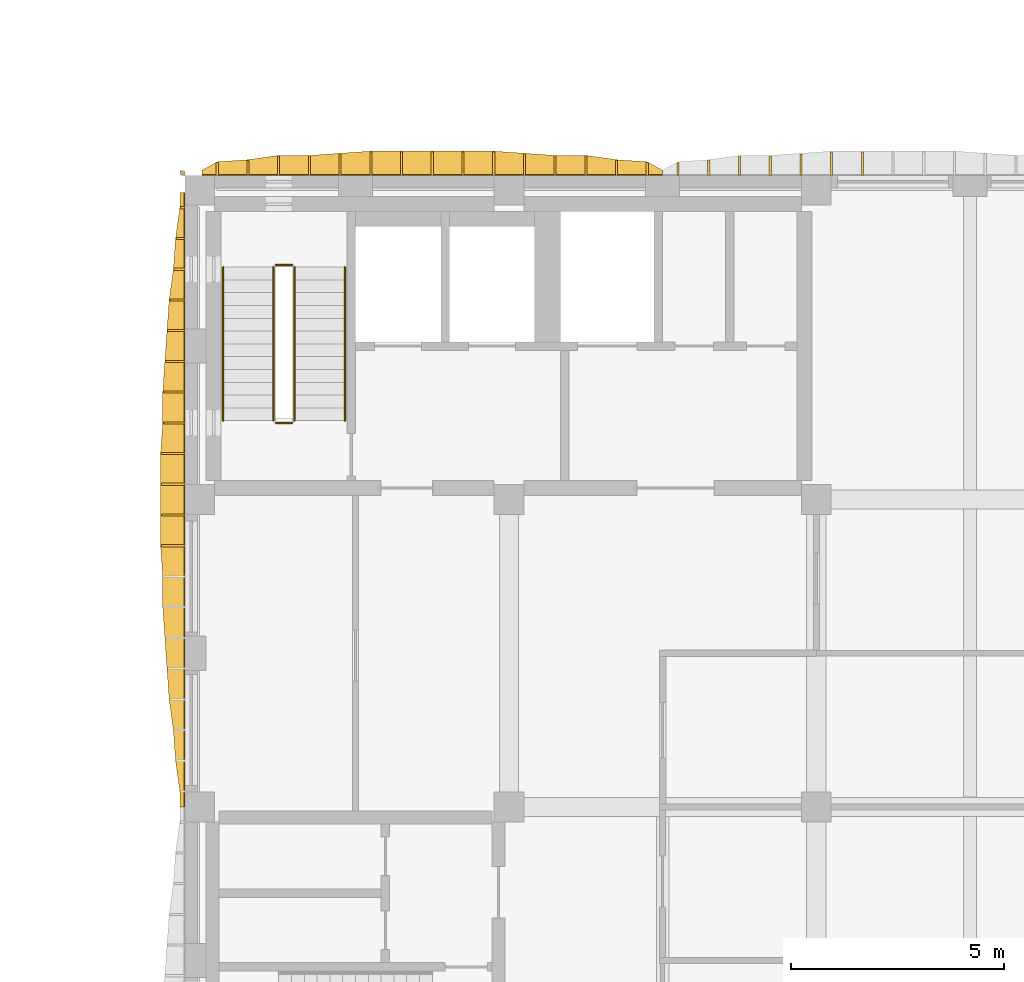
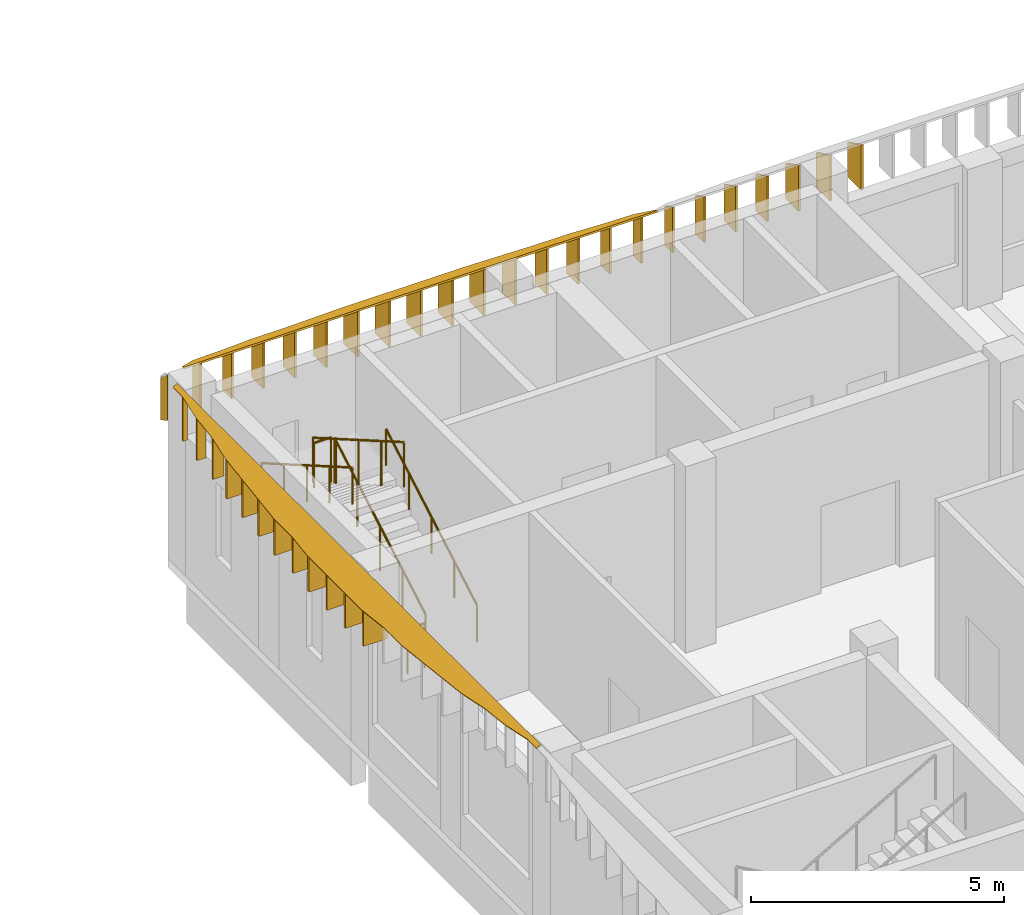
# One storey, part 21 of 38: 37 shading devices, 6 railings.
"""IFC4 building model written with IfcOpenShell, lengths in metres."""

import ifcopenshell
import ifcopenshell.guid

model = None  # the IFC model being written
_history = None  # IfcOwnerHistory: only IFC2X3 demands one
_inside = {}  # id of a spatial element -> (the spatial element, [elements in it])
_under = {}  # id of a project, library or spatial element -> (it, [spatial elements below it])
_declared = {}  # id of a project -> (the project, [libraries it declares])
_typed = {}  # id of a type object -> (the type object, [elements of that type])
_made_of = {}  # id of a material, layer set ... -> (it, [elements and type objects made of it])


def new_model(schema):
    """Start an empty IFC model of exactly this schema.

    Asked for "IFC4X3", IfcOpenShell would pick the latest addendum, in which some entities
    have other attributes; the version numbers below select the first issue.
    IFC2X3 requires an IfcOwnerHistory on every rooted entity: one is made here for all.
    """
    global model, _history
    if schema == "IFC4X3":
        model = ifcopenshell.file(schema_version=(4, 3, 0, 0))
    else:
        model = ifcopenshell.file(schema=schema)
    _inside.clear()
    _under.clear()
    _declared.clear()
    _typed.clear()
    _made_of.clear()
    _history = None
    if model.schema == "IFC2X3":
        org = make("IfcOrganization", Name="unknown")
        user = make(
            "IfcPersonAndOrganization",
            ThePerson=make("IfcPerson", FamilyName="unknown"),
            TheOrganization=org,
        )
        app = make(
            "IfcApplication",
            ApplicationDeveloper=org,
            Version="unknown",
            ApplicationFullName="unknown",
            ApplicationIdentifier="unknown",
        )
        _history = make(
            "IfcOwnerHistory",
            OwningUser=user,
            OwningApplication=app,
            ChangeAction="ADDED",
            CreationDate=0,
        )
    return model


def make(cls, **values):
    """One entity of the class cls with the attributes given. An attribute that is None is left unset."""
    return model.create_entity(
        cls, **{name: value for name, value in values.items() if value is not None}
    )


def rooted(cls, **values):
    """An entity with a GlobalId (a new one), such as an element, a storey or a relation."""
    return make(cls, GlobalId=ifcopenshell.guid.new(), OwnerHistory=_history, **values)


def si_unit(unit_type, name, prefix=None):
    """IfcSIUnit, for example si_unit("LENGTHUNIT", "METRE", prefix="MILLI")."""
    return make("IfcSIUnit", UnitType=unit_type, Prefix=prefix, Name=name)


def assignment(units):
    """IfcUnitAssignment: the units of a project."""
    return None if units is None else make("IfcUnitAssignment", Units=units)


def point(xyz):
    """IfcCartesianPoint."""
    return None if xyz is None else make("IfcCartesianPoint", Coordinates=xyz)


def direction(xyz):
    """IfcDirection."""
    return None if xyz is None else make("IfcDirection", DirectionRatios=xyz)


def frame(location, z_axis=None, x_axis=None):
    """IfcAxis2Placement3D, a coordinate frame: its origin and axes. An axis left out is left unset."""
    return make(
        "IfcAxis2Placement3D",
        Location=point(location),
        Axis=direction(z_axis),
        RefDirection=direction(x_axis),
    )


def frame_2d(location, x_axis=None):
    """IfcAxis2Placement2D, a coordinate frame in the plane: its origin and x axis."""
    return make(
        "IfcAxis2Placement2D", Location=point(location), RefDirection=direction(x_axis)
    )


def origin():
    """The frame at (0, 0, 0) with its axes left unset."""
    return frame((0.0, 0.0, 0.0))


def origin_2d():
    """The frame at (0, 0) in the plane with its x axis left unset."""
    return frame_2d((0.0, 0.0))


def place(relative_to, where):
    """IfcLocalPlacement: puts the frame where relative to a parent placement (None: the world)."""
    return make(
        "IfcLocalPlacement", PlacementRelTo=relative_to, RelativePlacement=where
    )


def context(
    kind, dimensions, precision=None, world=None, true_north=None, identifier=None
):
    """IfcGeometricRepresentationContext, for example the 3D "Model" context."""
    return make(
        "IfcGeometricRepresentationContext",
        ContextIdentifier=identifier,
        ContextType=kind,
        CoordinateSpaceDimension=dimensions,
        Precision=precision,
        WorldCoordinateSystem=world,
        TrueNorth=true_north,
    )


def subcontext(parent, identifier, kind, view, scale=None):
    """IfcGeometricRepresentationSubContext, for example "Body" below "Model"."""
    return make(
        "IfcGeometricRepresentationSubContext",
        ContextIdentifier=identifier,
        ContextType=kind,
        ParentContext=parent,
        TargetScale=scale,
        TargetView=view,
    )


def project(units=None, contexts=None):
    """IfcProject with its units and contexts."""
    return rooted(
        "IfcProject",
        Name="project",
        RepresentationContexts=contexts,
        UnitsInContext=assignment(units),
    )


def spatial(cls, under=None, at=None, **own):
    """A site, building, storey or space (cls), placed at a placement, below another one or the project."""
    s = rooted(cls, ObjectPlacement=at, **own)
    if under is not None:
        _under.setdefault(under.id(), (under, []))[1].append(s)
    return s


def polyline(points):
    """IfcPolyline through the points."""
    return make("IfcPolyline", Points=[point(p) for p in points])


def profile(cls, at=None, kind="AREA", **sizes):
    """A parametric profile (cls). Its sizes go by their IFC names, for example OverallWidth=200.0."""
    return make(cls, ProfileType=kind, Position=at, **sizes)


def circle(**sizes):
    """IfcCircleProfileDef."""
    return profile("IfcCircleProfileDef", **sizes)


def outline(outer, holes=None, kind="AREA"):
    """IfcArbitraryClosedProfileDef: a profile drawn as a closed curve; with holes, ...WithVoids."""
    if holes is None:
        return make("IfcArbitraryClosedProfileDef", ProfileType=kind, OuterCurve=outer)
    return make(
        "IfcArbitraryProfileDefWithVoids",
        ProfileType=kind,
        OuterCurve=outer,
        InnerCurves=holes,
    )


def extrude(swept, where, along, depth):
    """IfcExtrudedAreaSolid: the profile swept, set in the frame where, extruded along a direction by depth."""
    return make(
        "IfcExtrudedAreaSolid",
        SweptArea=swept,
        Position=where,
        ExtrudedDirection=direction(along),
        Depth=depth,
    )


def shape(context_of_items, identifier, shape_type, items):
    """IfcShapeRepresentation: the items that make up one representation, for example the "Body"."""
    return make(
        "IfcShapeRepresentation",
        ContextOfItems=context_of_items,
        RepresentationIdentifier=identifier,
        RepresentationType=shape_type,
        Items=items,
    )


def material(Name=None, Category=None):
    """IfcMaterial."""
    return make("IfcMaterial", Name=Name, Category=Category)


def layer(
    of_material, thickness, ventilated=None, Name=None, Category=None, Priority=None
):
    """IfcMaterialLayer: one layer of a wall or slab, of a material (None: an air gap)."""
    return make(
        "IfcMaterialLayer",
        Material=of_material,
        LayerThickness=thickness,
        IsVentilated=ventilated,
        Name=Name,
        Category=Category,
        Priority=Priority,
    )


def layer_set(layers, Name=None):
    """IfcMaterialLayerSet."""
    return make("IfcMaterialLayerSet", MaterialLayers=layers, LayerSetName=Name)


def made_of(thing, what):
    """Note that an element or type object is made of a material, layer set ...; save() writes the relation."""
    if what is not None:
        _made_of.setdefault(what.id(), (what, []))[1].append(thing)
    return thing


def type_object(cls, material=None, **own):
    """A type object (cls), such as IfcWallType, which elements share."""
    return made_of(rooted(cls, **own), material)


def element(
    cls,
    number,
    at=None,
    inside=None,
    cuts=None,
    type_object=None,
    material=None,
    context=None,
    identifier="Body",
    shape_type=None,
    held_by="IfcProductDefinitionShape",
    body=None,
    shapes=None,
    **own,
):
    """One element of the class cls, such as IfcWall. Its Tag is "e" and its number.

    at: its placement. inside: the storey or other place that contains it. cuts: it is an
    opening in that element (IfcRelVoidsElement). A single representation is given by context,
    identifier, shape_type and body (its items); several are given by shapes. held_by: the class
    of the entity that holds the representations. save() writes the other relations.
    """
    e = rooted(cls, Tag="e%d" % number, ObjectPlacement=at, **own)
    if body is not None:
        shapes = [shape(context, identifier, shape_type, body)]
    if shapes is not None:
        e.Representation = make(held_by, Representations=shapes)
    if inside is not None:
        _inside.setdefault(inside.id(), (inside, []))[1].append(e)
    if cuts is not None:
        rooted(
            "IfcRelVoidsElement", RelatingBuildingElement=cuts, RelatedOpeningElement=e
        )
    if type_object is not None:
        _typed.setdefault(type_object.id(), (type_object, []))[1].append(e)
    return made_of(e, material)


def aggregate(whole, parts):
    """IfcRelAggregates: a whole, such as a stair, and the parts it consists of."""
    return rooted("IfcRelAggregates", RelatingObject=whole, RelatedObjects=parts)


def save(model, path):
    """Write the relations noted so far, then the file.

    IfcRelAggregates (storeys below a building ...), IfcRelContainedInSpatialStructure (elements
    in a storey), IfcRelDefinesByType, IfcRelAssociatesMaterial and IfcRelDeclares: one each for
    every whole, place, type object, material and project.
    """
    for whole, parts in _under.values():
        aggregate(whole, parts)
    for where, things in _inside.values():
        rooted(
            "IfcRelContainedInSpatialStructure",
            RelatedElements=things,
            RelatingStructure=where,
        )
    for kind, things in _typed.values():
        rooted("IfcRelDefinesByType", RelatedObjects=things, RelatingType=kind)
    for what, things in _made_of.values():
        rooted("IfcRelAssociatesMaterial", RelatedObjects=things, RelatingMaterial=what)
    for by, libraries in _declared.values():
        rooted("IfcRelDeclares", RelatingContext=by, RelatedDefinitions=libraries)
    model.write(path)


model = new_model("IFC4")

# Units and contexts
model_context = context("Model", 3, precision=1e-05, world=origin(), true_north=direction((0.0, 1.0)))
body_context = subcontext(model_context, "Body", "Model", "MODEL_VIEW")
ifc_project = project(units=[si_unit("LENGTHUNIT", "METRE"), si_unit("AREAUNIT", "SQUARE_METRE"), si_unit("VOLUMEUNIT", "CUBIC_METRE"), si_unit("PLANEANGLEUNIT", "RADIAN"), si_unit("MASSUNIT", "GRAM", prefix="KILO")], contexts=[model_context])

# Site, building, storey
site_placement = place(None, origin())
site = spatial("IfcSite", under=ifc_project, at=site_placement, CompositionType="ELEMENT")
building_placement = place(site_placement, origin())
building = spatial("IfcBuilding", under=site, at=building_placement, Name="Ussher Court Research Institute", CompositionType="ELEMENT")
storey_placement = place(building_placement, frame((0.0, 0.0, 23.39990234375)))
storey = spatial("IfcBuildingStorey", under=building, at=storey_placement, Name="L05", CompositionType="ELEMENT", Elevation=23.39990234375)

# Shading devices
ifc_material_1 = material(Name="Bronze anodised aluminium", Category="aluminium")
ifc_layer_1 = layer(ifc_material_1, 0.050048828125)
ifc_layer_set_1 = layer_set([ifc_layer_1], Name="Bronze anodised aluminium")
shading_device_type_1 = type_object("IfcShadingDeviceType", Name="Brim blade 100 mm deep 1100 mm high canted 26 deg wet", PredefinedType="USERDEFINED", material=ifc_layer_set_1)
shading_device_1_placement = place(storey_placement, frame((81.800048828125, 32.43994140625, 3.35009765625), z_axis=(0.0, 0.0, 1.0), x_axis=(-1.0, 0.0, 0.0)))
element("IfcShadingDevice", 1, at=shading_device_1_placement, inside=storey, type_object=shading_device_type_1, Name="Brim blade BS10 L05", ObjectType="BLADE", PredefinedType="USERDEFINED", context=body_context, shape_type="SweptSolid", body=[
    extrude(outline(polyline([(0.0, 0.0), (0.10009765625, 0.0), (0.10009765625, 1.05126953125), (0.0, 1.10009765625), (0.0, 0.0)])), frame((0.0, 0.02490234375, 0.0), z_axis=(0.0, -1.0, 0.0), x_axis=(1.0, 0.0, 0.0)), (0.0, 0.0, 1.0), 0.050048828125),
])
ifc_material_2 = material(Name="Bronze anodised aluminium", Category="aluminium")
ifc_layer_2 = layer(ifc_material_2, 0.050048828125)
ifc_layer_set_2 = layer_set([ifc_layer_2], Name="Bronze anodised aluminium")
shading_device_type_2 = type_object("IfcShadingDeviceType", Name="Brim blade 200 mm deep 1100 mm high canted 26 deg wet", PredefinedType="USERDEFINED", material=ifc_layer_set_2)
shading_device_2_placement = place(storey_placement, frame((81.800048828125, 31.719970703125, 3.35009765625), z_axis=(0.0, 0.0, 1.0), x_axis=(-1.0, 0.0, 0.0)))
element("IfcShadingDevice", 2, at=shading_device_2_placement, inside=storey, type_object=shading_device_type_2, Name="Brim blade BS08 L05", ObjectType="BLADE", PredefinedType="USERDEFINED", context=body_context, shape_type="SweptSolid", body=[
    extrude(outline(polyline([(0.0, 0.0), (0.199951171875, 0.0), (0.199951171875, 1.00244140625), (0.0, 1.10009765625), (0.0, 0.0)])), frame((0.0, 0.02490234375, 0.0), z_axis=(0.0, -1.0, 0.0), x_axis=(1.0, 0.0, 0.0)), (0.0, 0.0, 1.0), 0.050048828125),
])
ifc_material_3 = material(Name="Bronze anodised aluminium", Category="aluminium")
ifc_layer_3 = layer(ifc_material_3, 0.050048828125)
ifc_layer_set_3 = layer_set([ifc_layer_3], Name="Bronze anodised aluminium")
shading_device_type_3 = type_object("IfcShadingDeviceType", Name="Brim blade 250 mm deep 1100 mm high canted 26 deg wet", PredefinedType="USERDEFINED", material=ifc_layer_set_3)
shading_device_3_placement = place(storey_placement, frame((81.800048828125, 31.0, 3.35009765625), z_axis=(0.0, 0.0, 1.0), x_axis=(-1.0, 0.0, 0.0)))
element("IfcShadingDevice", 3, at=shading_device_3_placement, inside=storey, type_object=shading_device_type_3, Name="Brim blade BS07 L05", ObjectType="BLADE", PredefinedType="USERDEFINED", context=body_context, shape_type="SweptSolid", body=[
    extrude(outline(polyline([(0.0, 0.0), (0.25, 0.0), (0.25, 0.97802734375), (0.0, 1.10009765625), (0.0, 0.0)])), frame((0.0, 0.02490234375, 0.0), z_axis=(0.0, -1.0, 0.0), x_axis=(1.0, 0.0, 0.0)), (0.0, 0.0, 1.0), 0.050048828125),
])
ifc_material_4 = material(Name="Bronze anodised aluminium", Category="aluminium")
ifc_layer_4 = layer(ifc_material_4, 0.050048828125)
ifc_layer_set_4 = layer_set([ifc_layer_4], Name="Bronze anodised aluminium")
shading_device_type_4 = type_object("IfcShadingDeviceType", Name="Brim blade 300 mm deep 1100 mm high canted 26 deg wet", PredefinedType="USERDEFINED", material=ifc_layer_set_4)
for number, where, z_axis, x_axis, name in (
    (4, (82.56005859375, 33.199951171875, 3.35009765625), (0.0, 0.0, 1.0), (0.0, 1.0, 0.0), "Brim blade BS06 L05"),
    (5, (92.639892578125, 33.199951171875, 3.35009765625), (0.0, 0.0, 1.0), (0.0, 1.0, 0.0), "Brim blade BS06 L05"),
    (6, (93.360107421875, 33.199951171875, 3.35009765625), (0.0, 0.0, 1.0), (0.0, 1.0, 0.0), "Brim blade BS06 L05"),
):
    element("IfcShadingDevice", number, at=place(storey_placement, frame(where, z_axis=z_axis, x_axis=x_axis)), inside=storey, type_object=shading_device_type_4, Name=name, ObjectType="BLADE", PredefinedType="USERDEFINED", context=body_context, shape_type="SweptSolid", body=[
        extrude(outline(polyline([(0.0, 0.0), (0.300048828125, 0.0), (0.300048828125, 0.95361328125), (0.0, 1.10009765625), (0.0, 0.0)])), frame((0.0, 0.02490234375, 0.0), z_axis=(0.0, -1.0, 0.0), x_axis=(1.0, 0.0, 0.0)), (0.0, 0.0, 1.0), 0.050048828125),
    ])
ifc_material_5 = material(Name="Bronze anodised aluminium", Category="aluminium")
ifc_layer_5 = layer(ifc_material_5, 0.050048828125)
ifc_layer_set_5 = layer_set([ifc_layer_5], Name="Bronze anodised aluminium")
shading_device_type_5 = type_object("IfcShadingDeviceType", Name="Brim blade 350 mm deep 1100 mm high canted 26 deg wet", PredefinedType="USERDEFINED", material=ifc_layer_set_5)
for number, where, z_axis, x_axis, name in (
    (7, (83.280029296875, 33.199951171875, 3.35009765625), (0.0, 0.0, 1.0), (0.0, 1.0, 0.0), "Brim blade BS05 L05"),
    (8, (91.919921875, 33.199951171875, 3.35009765625), (0.0, 0.0, 1.0), (0.0, 1.0, 0.0), "Brim blade BS05 L05"),
    (9, (94.080078125, 33.199951171875, 3.35009765625), (0.0, 0.0, 1.0), (0.0, 1.0, 0.0), "Brim blade BS05 L05"),
    (10, (81.800048828125, 30.280029296875, 3.35009765625), (0.0, 0.0, 1.0), (-1.0, 0.0, 0.0), "Brim blade BS05 L05"),
):
    element("IfcShadingDevice", number, at=place(storey_placement, frame(where, z_axis=z_axis, x_axis=x_axis)), inside=storey, type_object=shading_device_type_5, Name=name, ObjectType="BLADE", PredefinedType="USERDEFINED", context=body_context, shape_type="SweptSolid", body=[
        extrude(outline(polyline([(0.0, 0.0), (0.35009765625, 0.0), (0.35009765625, 0.92919921875), (0.0, 1.10009765625), (0.0, 0.0)])), frame((0.0, 0.02490234375, 0.0), z_axis=(0.0, -1.0, 0.0), x_axis=(1.0, 0.0, 0.0)), (0.0, 0.0, 1.0), 0.050048828125),
    ])
ifc_material_6 = material(Name="Bronze anodised aluminium", Category="aluminium")
ifc_layer_6 = layer(ifc_material_6, 0.050048828125)
ifc_layer_set_6 = layer_set([ifc_layer_6], Name="Bronze anodised aluminium")
shading_device_type_6 = type_object("IfcShadingDeviceType", Name="Brim blade 400 mm deep 1100 mm high canted 26 deg wet", PredefinedType="USERDEFINED", material=ifc_layer_set_6)
shading_device_4_placement = place(storey_placement, frame((81.800048828125, 29.56005859375, 3.35009765625), z_axis=(0.0, 0.0, 1.0), x_axis=(-1.0, 0.0, 0.0)))
element("IfcShadingDevice", 11, at=shading_device_4_placement, inside=storey, type_object=shading_device_type_6, Name="Brim blade BS04 L05", ObjectType="BLADE", PredefinedType="USERDEFINED", context=body_context, shape_type="SweptSolid", body=[
    extrude(outline(polyline([(0.0, 0.0), (0.400146484375, 0.0), (0.39990234375, 0.90478515625), (0.0, 1.10009765625), (0.0, 0.0)])), frame((0.0, 0.02490234375, 0.0), z_axis=(0.0, -1.0, 0.0), x_axis=(1.0, 0.0, 0.0)), (0.0, 0.0, 1.0), 0.050048828125),
])
ifc_material_7 = material(Name="Bronze anodised aluminium", Category="aluminium")
ifc_layer_7 = layer(ifc_material_7, 0.050048828125)
ifc_layer_set_7 = layer_set([ifc_layer_7], Name="Bronze anodised aluminium")
shading_device_type_7 = type_object("IfcShadingDeviceType", Name="Brim blade 450 mm deep 1100 mm high canted 26 deg wet", PredefinedType="USERDEFINED", material=ifc_layer_set_7)
for number, where, z_axis, x_axis, name in (
    (12, (84.0, 33.199951171875, 3.35009765625), (0.0, 0.0, 1.0), (0.0, 1.0, 0.0), "Brim blade BS03 L05"),
    (13, (84.719970703125, 33.199951171875, 3.35009765625), (0.0, 0.0, 1.0), (0.0, 1.0, 0.0), "Brim blade BS03 L05"),
    (14, (90.47998046875, 33.199951171875, 3.35009765625), (0.0, 0.0, 1.0), (0.0, 1.0, 0.0), "Brim blade BS03 L05"),
    (15, (91.199951171875, 33.199951171875, 3.35009765625), (0.0, 0.0, 1.0), (0.0, 1.0, 0.0), "Brim blade BS03 L05"),
    (16, (94.800048828125, 33.199951171875, 3.35009765625), (0.0, 0.0, 1.0), (0.0, 1.0, 0.0), "Brim blade BS03 L05"),
    (17, (95.52001953125, 33.199951171875, 3.35009765625), (0.0, 0.0, 1.0), (0.0, 1.0, 0.0), "Brim blade BS03 L05"),
    (18, (81.800048828125, 28.840087890625, 3.35009765625), (0.0, 0.0, 1.0), (-1.0, 0.0, 0.0), "Brim blade BS03 L05"),
):
    element("IfcShadingDevice", number, at=place(storey_placement, frame(where, z_axis=z_axis, x_axis=x_axis)), inside=storey, type_object=shading_device_type_7, Name=name, ObjectType="BLADE", PredefinedType="USERDEFINED", context=body_context, shape_type="SweptSolid", body=[
        extrude(outline(polyline([(0.0, 0.0), (0.449951171875, 0.0), (0.449951171875, 0.880615234375), (0.0, 1.10009765625), (0.0, 0.0)])), frame((0.0, 0.02490234375, 0.0), z_axis=(0.0, -1.0, 0.0), x_axis=(1.0, 0.0, 0.0)), (0.0, 0.0, 1.0), 0.050048828125),
    ])
ifc_material_8 = material(Name="Bronze anodised aluminium", Category="aluminium")
ifc_layer_8 = layer(ifc_material_8, 0.050048828125)
ifc_layer_set_8 = layer_set([ifc_layer_8], Name="Bronze anodised aluminium")
shading_device_type_8 = type_object("IfcShadingDeviceType", Name="Brim blade 500 mm deep 1100 mm high canted 26 deg wet", PredefinedType="USERDEFINED", material=ifc_layer_set_8)
for number, where, z_axis, x_axis, name in (
    (19, (85.43994140625, 33.199951171875, 3.35009765625), (0.0, 0.0, 1.0), (0.0, 1.0, 0.0), "Brim blade BS02 L05"),
    (20, (89.760009765625, 33.199951171875, 3.35009765625), (0.0, 0.0, 1.0), (0.0, 1.0, 0.0), "Brim blade BS02 L05"),
    (21, (96.239990234375, 33.199951171875, 3.35009765625), (0.0, 0.0, 1.0), (0.0, 1.0, 0.0), "Brim blade BS02 L05"),
    (22, (81.800048828125, 27.39990234375, 3.35009765625), (0.0, 0.0, 1.0), (-1.0, 0.0, 0.0), "Brim blade BS02 L05"),
    (23, (81.800048828125, 28.1201171875, 3.35009765625), (0.0, 0.0, 1.0), (-1.0, 0.0, 0.0), "Brim blade BS02 L05"),
):
    element("IfcShadingDevice", number, at=place(storey_placement, frame(where, z_axis=z_axis, x_axis=x_axis)), inside=storey, type_object=shading_device_type_8, Name=name, ObjectType="BLADE", PredefinedType="USERDEFINED", context=body_context, shape_type="SweptSolid", body=[
        extrude(outline(polyline([(0.0, 0.0), (0.5, 0.0), (0.5, 0.856201171875), (0.0, 1.10009765625), (0.0, 0.0)])), frame((0.0, 0.02490234375, 0.0), z_axis=(0.0, -1.0, 0.0), x_axis=(1.0, 0.0, 0.0)), (0.0, 0.0, 1.0), 0.050048828125),
    ])
ifc_material_9 = material(Name="Bronze anodised aluminium", Category="aluminium")
ifc_layer_9 = layer(ifc_material_9, 0.050048828125)
ifc_layer_set_9 = layer_set([ifc_layer_9], Name="Bronze anodised aluminium")
shading_device_type_9 = type_object("IfcShadingDeviceType", Name="Brim blade 550 mm deep 1100 mm high canted 26 deg wet", PredefinedType="USERDEFINED", material=ifc_layer_set_9)
for number, where, z_axis, x_axis, name in (
    (24, (86.159912109375, 33.199951171875, 3.35009765625), (0.0, 0.0, 1.0), (0.0, 1.0, 0.0), "Brim blade BS01 L05"),
    (25, (86.8798828125, 33.199951171875, 3.35009765625), (0.0, 0.0, 1.0), (0.0, 1.0, 0.0), "Brim blade BS01 L05"),
    (26, (87.60009765625, 33.199951171875, 3.35009765625), (0.0, 0.0, 1.0), (0.0, 1.0, 0.0), "Brim blade BS01 L05"),
    (27, (88.320068359375, 33.199951171875, 3.35009765625), (0.0, 0.0, 1.0), (0.0, 1.0, 0.0), "Brim blade BS01 L05"),
    (28, (89.0400390625, 33.199951171875, 3.35009765625), (0.0, 0.0, 1.0), (0.0, 1.0, 0.0), "Brim blade BS01 L05"),
    (29, (96.9599609375, 33.199951171875, 3.35009765625), (0.0, 0.0, 1.0), (0.0, 1.0, 0.0), "Brim blade BS01 L05"),
    (30, (97.679931640625, 33.199951171875, 3.35009765625), (0.0, 0.0, 1.0), (0.0, 1.0, 0.0), "Brim blade BS01 L05"),
    (31, (81.800048828125, 24.52001953125, 3.35009765625), (0.0, 0.0, 1.0), (-1.0, 0.0, 0.0), "Brim blade BS01 L05"),
    (32, (81.800048828125, 25.239990234375, 3.35009765625), (0.0, 0.0, 1.0), (-1.0, 0.0, 0.0), "Brim blade BS01 L05"),
    (33, (81.800048828125, 25.9599609375, 3.35009765625), (0.0, 0.0, 1.0), (-1.0, 0.0, 0.0), "Brim blade BS01 L05"),
    (34, (81.800048828125, 26.679931640625, 3.35009765625), (0.0, 0.0, 1.0), (-1.0, 0.0, 0.0), "Brim blade BS01 L05"),
):
    element("IfcShadingDevice", number, at=place(storey_placement, frame(where, z_axis=z_axis, x_axis=x_axis)), inside=storey, type_object=shading_device_type_9, Name=name, ObjectType="BLADE", PredefinedType="USERDEFINED", context=body_context, shape_type="SweptSolid", body=[
        extrude(outline(polyline([(0.0, 0.0), (0.550048828125, 0.0), (0.550048828125, 0.831787109375), (0.0, 1.10009765625), (0.0, 0.0)])), frame((0.0, 0.02490234375, 0.0), z_axis=(0.0, -1.0, 0.0), x_axis=(1.0, 0.0, 0.0)), (0.0, 0.0, 1.0), 0.050048828125),
    ])
ifc_material_10 = material(Name="Bronze anodised aluminium", Category="aluminium")
ifc_layer_10 = layer(ifc_material_10, 0.050048828125)
ifc_layer_set_10 = layer_set([ifc_layer_10], Name="Bronze anodised aluminium")
shading_device_type_10 = type_object("IfcShadingDeviceType", Name="Brim mitre blade 100 mm deep 1100 mm high canted 26 deg wet", PredefinedType="USERDEFINED", material=ifc_layer_set_10)
shading_device_5_placement = place(storey_placement, frame((81.800048828125, 33.199951171875, 3.35009765625), z_axis=(0.0, 0.0, 1.0), x_axis=(-0.707106781187, 0.707106781187, 0.0)))
element("IfcShadingDevice", 35, at=shading_device_5_placement, inside=storey, type_object=shading_device_type_10, Name="Brim mitre blade BS18 L05", ObjectType="BLADE", PredefinedType="USERDEFINED", context=body_context, shape_type="SweptSolid", body=[
    extrude(outline(polyline([(0.0, 0.0), (0.1416015625, 0.0), (0.141357421875, 1.00244140625), (0.0, 1.10009765625), (0.0, 0.0)])), frame((0.0, 0.02490234375, 0.0), z_axis=(0.0, -1.0, 0.0), x_axis=(1.0, 0.0, 0.0)), (0.0, 0.0, 1.0), 0.050048828125),
])
ifc_material_11 = material(Name="Bronze anodised aluminium", Category="aluminium")
ifc_layer_11 = layer(ifc_material_11, 0.0400390625)
ifc_layer_set_11 = layer_set([ifc_layer_11], Name="Bronze anodised aluminium")
shading_device_type_11 = type_object("IfcShadingDeviceType", Name="Brim visor sheet 40 mm canted 26 deg wet", PredefinedType="USERDEFINED", material=ifc_layer_set_11)
shading_device_6_placement = place(storey_placement, frame((82.199951171875, 33.217529296875, 4.486083984375), z_axis=(0.0, 0.438493442835, 0.898734388232), x_axis=(1.0, 0.0, 0.0)))
element("IfcShadingDevice", 36, at=shading_device_6_placement, inside=storey, type_object=shading_device_type_11, Name="Brim visor sheet BR1 L05", ObjectType="BRIM", PredefinedType="USERDEFINED", context=body_context, shape_type="SweptSolid", body=[
    extrude(outline(polyline([(0.0, 0.0), (10.800048828125, 0.0), (10.800048828125, 0.11115260091647443), (10.43994140625, 0.3338966378999272), (9.719970703125, 0.3893632295705384), (9.0, 0.5006281939990725), (8.280029296875, 0.5006281939990725), (7.56005859375, 0.5563142032449357), (6.840087890625, 0.612000212490799), (6.1201171875, 0.612000212490799), (5.400146484375, 0.612000212490799), (4.679931640625, 0.612000212490799), (3.9599609375, 0.612000212490799), (3.239990234375, 0.5563142032449357), (2.52001953125, 0.5006281939990725), (1.800048828125, 0.5006281939990725), (1.080078125, 0.3893632295705384), (0.360107421875, 0.3338966378999272), (0.0, 0.11115260091647443), (0.0, 0.0)])), origin(), (0.0, 0.0, -1.0), 0.0400390625),
])
shading_device_7_placement = place(storey_placement, frame((81.782470703125, 18.39990234375, 4.486083984375), z_axis=(-0.438529184396, 0.0, 0.898716949007), x_axis=(0.0, 1.0, 0.0)))
element("IfcShadingDevice", 37, at=shading_device_7_placement, inside=storey, type_object=shading_device_type_11, Name="Brim visor sheet BR1 L05", ObjectType="BRIM", PredefinedType="USERDEFINED", context=body_context, shape_type="SweptSolid", body=[
    extrude(outline(polyline([(0.0, 0.0), (14.400146484375, 0.0), (14.400146484375, 0.11115260474198813), (14.0400390625, 0.11115260474198813), (13.320068359375, 0.22252462280160495), (12.60009765625, 0.27821063183141337), (11.880126953125, 0.3893632365734015), (11.16015625, 0.4449421828140506), (10.440185546875, 0.5006281918438591), (9.72021484375, 0.5563142008736675), (9.0, 0.5563142008736675), (8.280029296875, 0.6120002099034759), (7.56005859375, 0.6120002099034759), (6.840087890625, 0.6120002099034759), (6.1201171875, 0.6120002099034759), (5.400146484375, 0.5563142008736675), (4.68017578125, 0.5563142008736675), (3.960205078125, 0.5006281918438591), (3.239990234375, 0.4449421828140506), (2.52001953125, 0.3893632365734015), (1.800048828125, 0.27821063183141337), (1.080078125, 0.22252462280160495), (0.360107421875, 0.11115260474198813), (0.0, 0.11115260474198813), (0.0, 0.0)])), origin(), (0.0, 0.0, -1.0), 0.0400390625),
])

# Railings
ifc_material_12 = material(Name="Painted steel balustrade", Category="steel")
railing_type_1 = type_object("IfcRailingType", Name="Stair guard 1100 steel balustrade", PredefinedType="GUARDRAIL", material=ifc_material_12)
railing_1_placement = place(storey_placement, frame((84.3701171875, 27.449951171875, 0.173095703125)))
element("IfcRailing", 38, at=railing_1_placement, inside=storey, type_object=railing_type_1, Name="L05 T1 stair guard 1", PredefinedType="GUARDRAIL", context=body_context, shape_type="SweptSolid", body=[
    extrude(circle(Radius=0.02392578125, at=origin_2d()), frame((0.0, 0.0, 1.076171875), z_axis=(0.0, 0.866193409371, 0.499708892819), x_axis=(-1.0, 0.0, 0.0)), (0.0, 0.0, 1.0), 4.15625),
    extrude(circle(Radius=0.02099609375, at=origin_2d()), origin(), (0.0, 0.0, 1.0), 1.052001953125),
    extrude(circle(Radius=0.02099609375, at=origin_2d()), frame((0.0, 0.89990234375, 0.519287109375)), (0.0, 0.0, 1.0), 1.052001953125),
    extrude(circle(Radius=0.02099609375, at=origin_2d()), frame((0.0, 1.800048828125, 1.03857421875)), (0.0, 0.0, 1.0), 1.052001953125),
    extrude(circle(Radius=0.02099609375, at=origin_2d()), frame((0.0, 2.7001953125, 1.5576171875)), (0.0, 0.0, 1.0), 1.052001953125),
    extrude(circle(Radius=0.02099609375, at=origin_2d()), frame((0.0, 3.60009765625, 2.076904296875)), (0.0, 0.0, 1.0), 1.052001953125),
])
railing_2_placement = place(storey_placement, frame((84.320068359375, 31.10009765625, 2.25)))
element("IfcRailing", 39, at=railing_2_placement, inside=storey, type_object=railing_type_1, Name="L05 T1 stair guard 2", PredefinedType="GUARDRAIL", context=body_context, shape_type="SweptSolid", body=[
    extrude(circle(Radius=0.02392578125, at=origin_2d()), frame((0.0, 0.0, 1.076171875), z_axis=(-1.0, 0.0, 0.0), x_axis=(0.0, -1.0, 0.0)), (0.0, 0.0, 1.0), 0.39013671875),
    extrude(circle(Radius=0.02099609375, at=origin_2d()), origin(), (0.0, 0.0, 1.0), 1.052001953125),
    extrude(circle(Radius=0.02099609375, at=origin_2d()), frame((-0.39013671875, 0.0, 0.0)), (0.0, 0.0, 1.0), 1.052001953125),
])
railing_3_placement = place(storey_placement, frame((83.8798828125, 31.050048828125, 2.423095703125)))
element("IfcRailing", 40, at=railing_3_placement, inside=storey, type_object=railing_type_1, Name="L05 T1 stair guard 3", PredefinedType="GUARDRAIL", context=body_context, shape_type="SweptSolid", body=[
    extrude(circle(Radius=0.02392578125, at=origin_2d()), frame((0.0, 0.0, 1.076171875), z_axis=(0.0, -0.866193409371, 0.499708892819), x_axis=(1.0, 0.0, 0.0)), (0.0, 0.0, 1.0), 4.15625),
    extrude(circle(Radius=0.02099609375, at=origin_2d()), origin(), (0.0, 0.0, 1.0), 1.052001953125),
    extrude(circle(Radius=0.02099609375, at=origin_2d()), frame((0.0, -0.89990234375, 0.519287109375)), (0.0, 0.0, 1.0), 1.052001953125),
    extrude(circle(Radius=0.02099609375, at=origin_2d()), frame((0.0, -1.800048828125, 1.03857421875)), (0.0, 0.0, 1.0), 1.052001953125),
    extrude(circle(Radius=0.02099609375, at=origin_2d()), frame((0.0, -2.7001953125, 1.5576171875)), (0.0, 0.0, 1.0), 1.052001953125),
    extrude(circle(Radius=0.02099609375, at=origin_2d()), frame((0.0, -3.60009765625, 2.076904296875)), (0.0, 0.0, 1.0), 1.052001953125),
])
railing_4_placement = place(storey_placement, frame((84.320068359375, 27.39990234375, 0.0)))
element("IfcRailing", 41, at=railing_4_placement, inside=storey, type_object=railing_type_1, Name="L05 T1 stair guard 4", PredefinedType="GUARDRAIL", context=body_context, shape_type="SweptSolid", body=[
    extrude(circle(Radius=0.02392578125, at=origin_2d()), frame((0.0, 0.0, 1.076171875), z_axis=(-1.0, 0.0, 0.0), x_axis=(0.0, -1.0, 0.0)), (0.0, 0.0, 1.0), 0.39013671875),
    extrude(circle(Radius=0.02099609375, at=origin_2d()), origin(), (0.0, 0.0, 1.0), 1.052001953125),
    extrude(circle(Radius=0.02099609375, at=origin_2d()), frame((-0.39013671875, 0.0, 0.0)), (0.0, 0.0, 1.0), 1.052001953125),
])
ifc_material_13 = material(Name="Painted steel handrail", Category="steel")
railing_type_2 = type_object("IfcRailingType", Name="Stair handrail 900 steel", PredefinedType="HANDRAIL", material=ifc_material_13)
railing_5_placement = place(storey_placement, frame((85.550048828125, 27.449951171875, 0.173095703125)))
element("IfcRailing", 42, at=railing_5_placement, inside=storey, type_object=railing_type_2, Name="L05 T1 stair handrail 1", PredefinedType="HANDRAIL", context=body_context, shape_type="SweptSolid", body=[
    extrude(circle(Radius=0.02392578125, at=origin_2d()), frame((0.0, 0.0, 0.8759765625), z_axis=(0.0, 0.866193409371, 0.499708892819), x_axis=(-1.0, 0.0, 0.0)), (0.0, 0.0, 1.0), 4.15625),
    extrude(circle(Radius=0.02099609375, at=origin_2d()), origin(), (0.0, 0.0, 1.0), 0.851806640625),
    extrude(circle(Radius=0.02099609375, at=origin_2d()), frame((0.0, 0.89990234375, 0.519287109375)), (0.0, 0.0, 1.0), 0.851806640625),
    extrude(circle(Radius=0.02099609375, at=origin_2d()), frame((0.0, 1.800048828125, 1.03857421875)), (0.0, 0.0, 1.0), 0.851806640625),
    extrude(circle(Radius=0.02099609375, at=origin_2d()), frame((0.0, 2.7001953125, 1.5576171875)), (0.0, 0.0, 1.0), 0.851806640625),
    extrude(circle(Radius=0.02099609375, at=origin_2d()), frame((0.0, 3.60009765625, 2.076904296875)), (0.0, 0.0, 1.0), 0.851806640625),
])
railing_6_placement = place(storey_placement, frame((82.699951171875, 31.050048828125, 2.423095703125)))
element("IfcRailing", 43, at=railing_6_placement, inside=storey, type_object=railing_type_2, Name="L05 T1 stair handrail 2", PredefinedType="HANDRAIL", context=body_context, shape_type="SweptSolid", body=[
    extrude(circle(Radius=0.02392578125, at=origin_2d()), frame((0.0, 0.0, 0.8759765625), z_axis=(0.0, -0.866193409371, 0.499708892819), x_axis=(1.0, 0.0, 0.0)), (0.0, 0.0, 1.0), 4.15625),
    extrude(circle(Radius=0.02099609375, at=origin_2d()), origin(), (0.0, 0.0, 1.0), 0.851806640625),
    extrude(circle(Radius=0.02099609375, at=origin_2d()), frame((0.0, -0.89990234375, 0.519287109375)), (0.0, 0.0, 1.0), 0.851806640625),
    extrude(circle(Radius=0.02099609375, at=origin_2d()), frame((0.0, -1.800048828125, 1.03857421875)), (0.0, 0.0, 1.0), 0.851806640625),
    extrude(circle(Radius=0.02099609375, at=origin_2d()), frame((0.0, -2.7001953125, 1.5576171875)), (0.0, 0.0, 1.0), 0.851806640625),
    extrude(circle(Radius=0.02099609375, at=origin_2d()), frame((0.0, -3.60009765625, 2.076904296875)), (0.0, 0.0, 1.0), 0.851806640625),
])

save(model, "model.ifc")
